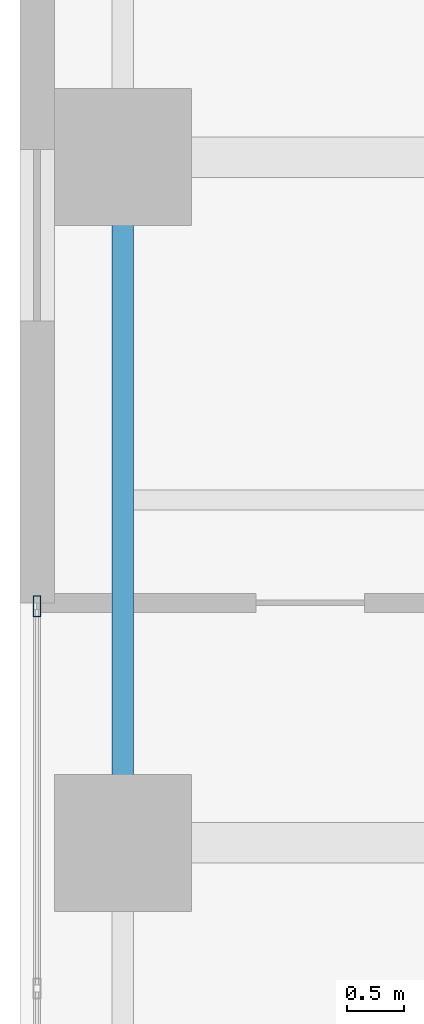
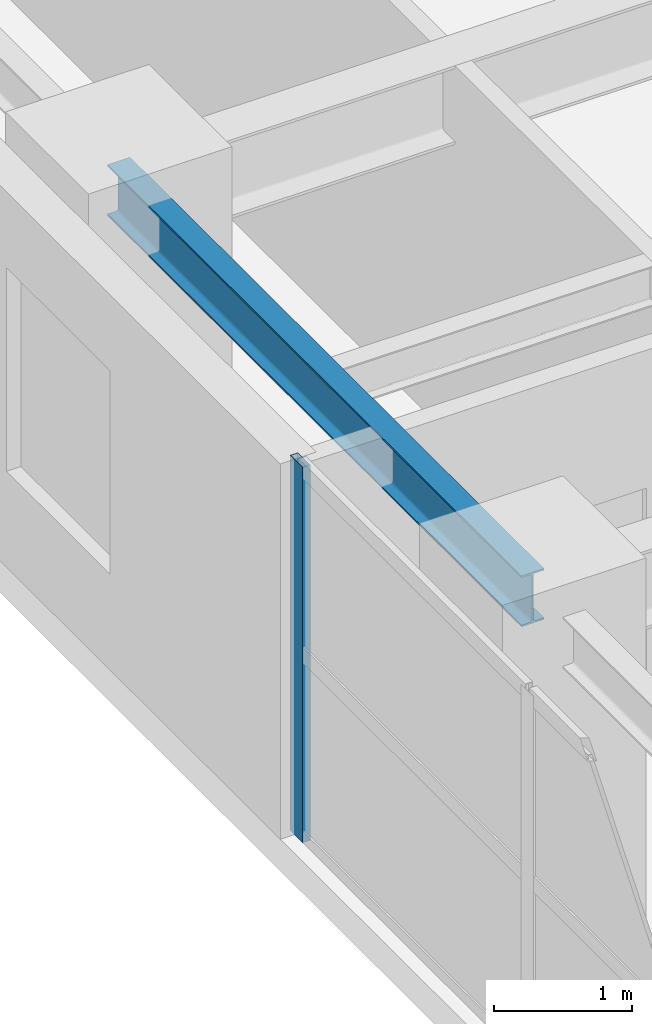
# One storey, part 12 of 24: 1 beam, 1 member, 1 element without a shape of its own.
"""IFC4 building model written with IfcOpenShell, lengths in metres."""

from ifc_helpers import new_model, si_unit, direction, frame, origin, origin_2d, place, context, subcontext, project, spatial, hollow_rectangle, i_section, extrude, source, transform, mapped, material, layer, layer_set, material_profile, profile_set, type_object, element, aggregate, save


model = new_model("IFC4")

# Units and contexts
model_context = context("Model", 3, precision=1e-05, world=origin(), true_north=direction((0.0, 1.0)))
body_context = subcontext(model_context, "Body", "Model", "MODEL_VIEW")
ifc_project = project(units=[si_unit("LENGTHUNIT", "METRE"), si_unit("AREAUNIT", "SQUARE_METRE"), si_unit("VOLUMEUNIT", "CUBIC_METRE"), si_unit("PLANEANGLEUNIT", "RADIAN"), si_unit("MASSUNIT", "GRAM", prefix="KILO")], contexts=[model_context])

# Site, building, storey
site_placement = place(None, origin())
site = spatial("IfcSite", under=ifc_project, at=site_placement, CompositionType="ELEMENT")
building_placement = place(site_placement, origin())
building = spatial("IfcBuilding", under=site, at=building_placement, Name="Khoralis Quay Care Tower", CompositionType="ELEMENT")
storey_placement = place(building_placement, frame((0.0, 0.0, 54.89990234375)))
storey = spatial("IfcBuildingStorey", under=building, at=storey_placement, Name="L14", CompositionType="ELEMENT", Elevation=54.89990234375)

# Beam
ifc_material_1 = material(Name="Steel S355", Category="steel")
ifc_material_profile_1 = material_profile(ifc_material_1, i_section(OverallWidth=0.18994140625, OverallDepth=0.449951171875, WebThickness=0.009521484375, FlangeThickness=0.0146484375, FilletRadius=0.02099609375, at=origin_2d()), Name="Steel S355")
ifc_profile_set_1 = profile_set([ifc_material_profile_1], Name="Steel S355")
beam_type = type_object("IfcBeamType", Name="BM-IPE450", PredefinedType="SPANDREL", material=ifc_profile_set_1)
shared_shape_1 = source(origin(), body_context, "Body", "SweptSolid", [
    extrude(i_section(OverallWidth=0.18994140625, OverallDepth=0.449951171875, WebThickness=0.009521484375, FlangeThickness=0.0146484375, FilletRadius=0.02099609375, at=origin_2d()), origin(), (0.0, 0.0, 1.0), 6.0),
])
beam_placement = place(storey_placement, frame((0.89990234375, 30.0, 3.09521484375), z_axis=(0.0, 1.0, 0.0), x_axis=(-1.0, 0.0, 0.0)))
element("IfcBeam", 1, at=beam_placement, inside=storey, type_object=beam_type, Name="BM-TSP-L14-17", PredefinedType="SPANDREL", context=body_context, shape_type="MappedRepresentation", body=[
    mapped(shared_shape_1, transform((0.0, 0.0, 0.0), scale=1.0)),
])

# Curtain wall, member
ifc_material_2 = material(Name="Pale anodised aluminium", Category="aluminium")
ifc_layer = layer(ifc_material_2, 0.179931640625)
ifc_layer_set = layer_set([ifc_layer], Name="Pale anodised aluminium")
curtain_wall_type = type_object("IfcCurtainWallType", Name="CW-SYS-Z1", PredefinedType="NOTDEFINED", material=ifc_layer_set)
curtain_wall_placement = place(storey_placement, origin())
curtain_wall = element("IfcCurtainWall", 2, at=curtain_wall_placement, inside=storey, type_object=curtain_wall_type, Name="L14 Unitised Curtain Wall CW-L14-P1-E15", PredefinedType="NOTDEFINED")
ifc_material_profile_2 = material_profile(ifc_material_2, hollow_rectangle(XDim=0.06494140625, YDim=0.179931640625, WallThickness=0.00390625, at=origin_2d()), Name="Pale anodised aluminium")
ifc_profile_set_2 = profile_set([ifc_material_profile_2], Name="Pale anodised aluminium")
member_type = type_object("IfcMemberType", Name="CW-MUL-180", PredefinedType="MULLION", material=ifc_profile_set_2)
shared_shape_2 = source(origin(), body_context, "Body", "SweptSolid", [
    extrude(hollow_rectangle(XDim=0.06494140625, YDim=0.179931640625, WallThickness=0.00390625, at=origin_2d()), origin(), (0.0, 0.0, 1.0), 3.320068359375),
])
member_placement = place(storey_placement, frame((0.14990234375, 32.070068359375, 0.0), z_axis=(0.0, 0.0, 1.0), x_axis=(1.0, 0.0, 0.0)))
member = element("IfcMember", 3, at=member_placement, type_object=member_type, Name="CW1 mullion 1", PredefinedType="MULLION", context=body_context, shape_type="MappedRepresentation", body=[
    mapped(shared_shape_2, transform((0.0, 0.0, 0.0), scale=1.0)),
])
aggregate(curtain_wall, [member])

save(model, "model.ifc")
